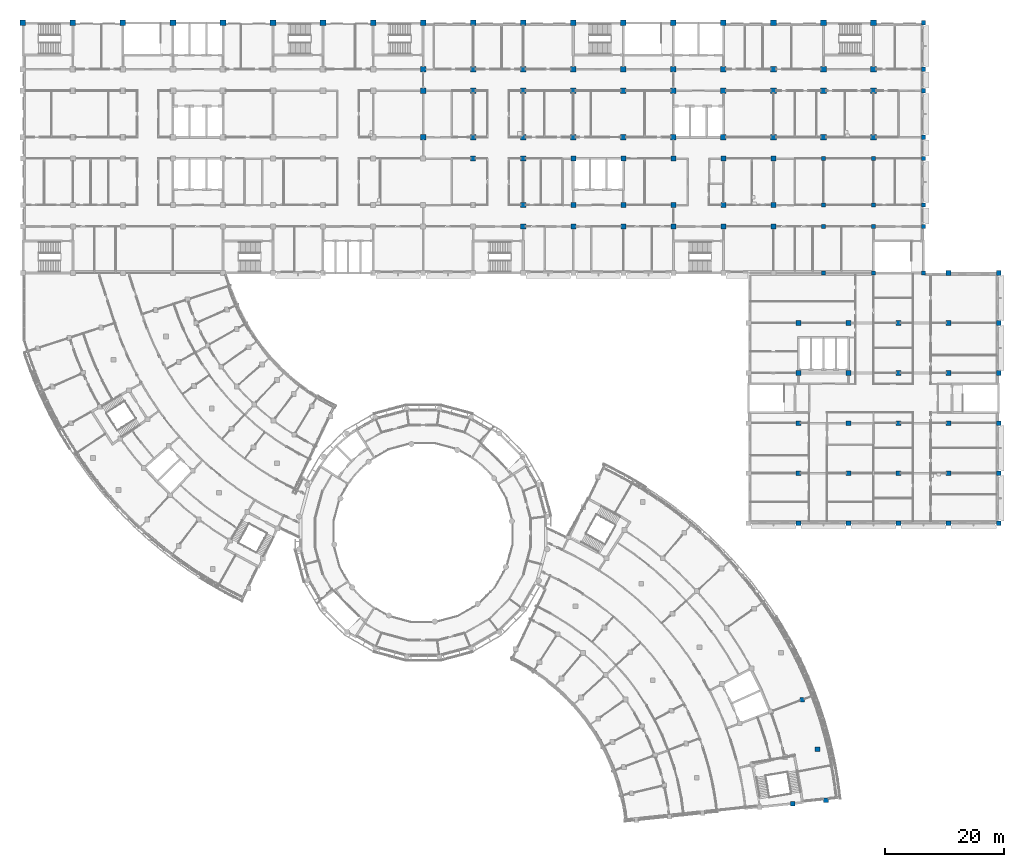
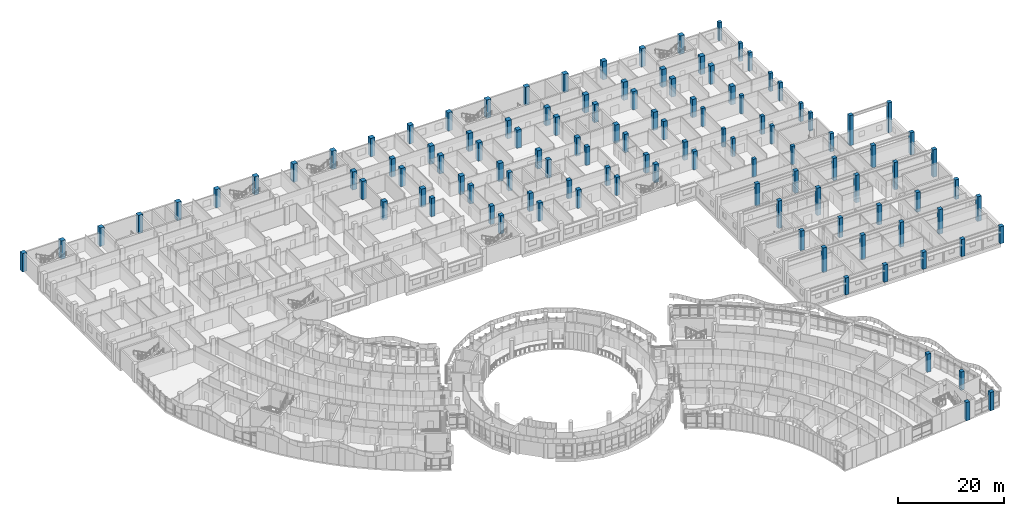
# One storey, part 2 of 109: 114 columns.
"""IFC4 building model written with IfcOpenShell, lengths in metres."""

from ifc_helpers import new_model, si_unit, direction, frame, origin, origin_2d, place, context, subcontext, project, spatial, rectangle, extrude, material, material_profile, profile_set, type_object, element, save


model = new_model("IFC4")

# Units and contexts
model_context = context("Model", 3, precision=1e-05, world=origin(), true_north=direction((0.0, 1.0)))
body_context = subcontext(model_context, "Body", "Model", "MODEL_VIEW")
ifc_project = project(units=[si_unit("LENGTHUNIT", "METRE"), si_unit("AREAUNIT", "SQUARE_METRE"), si_unit("VOLUMEUNIT", "CUBIC_METRE"), si_unit("PLANEANGLEUNIT", "RADIAN"), si_unit("MASSUNIT", "GRAM", prefix="KILO")], contexts=[model_context])

# Site, building, storey
site_placement = place(None, origin())
site = spatial("IfcSite", under=ifc_project, at=site_placement, CompositionType="ELEMENT")
building_placement = place(site_placement, origin())
building = spatial("IfcBuilding", under=site, at=building_placement, Name="Bougainvillea Quay General Hospital", CompositionType="ELEMENT")
storey_placement = place(building_placement, frame((0.0, 0.0, 12.60009765625)))
storey = spatial("IfcBuildingStorey", under=building, at=storey_placement, Name="L02", CompositionType="ELEMENT", Elevation=12.60009765625)

# Columns
ifc_material = material(Name="Concrete C40", Category="concrete")
ifc_material_profile_1 = material_profile(ifc_material, rectangle(XDim=0.699951171875, YDim=0.699951171875, at=origin_2d()))
ifc_profile_set_1 = profile_set([ifc_material_profile_1], Name="Concrete C40")
column_type_1 = type_object("IfcColumnType", Name="RC COL 700x700 C40", PredefinedType="COLUMN", material=ifc_profile_set_1)
for number, where, z_axis, x_axis, name in (
    (1, (176.39990234375, 117.60009765625, 0.0), (0.0, 0.0, 1.0), (1.0, 0.0, 0.0), "Column C-V4-160 L02"),
    (2, (176.39990234375, 125.39990234375, 0.0), (0.0, 0.0, 1.0), (1.0, 0.0, 0.0), "Column C-V4-161 L02"),
    (3, (176.39990234375, 129.0, 0.0), (0.0, 0.0, 1.0), (1.0, 0.0, 0.0), "Column C-V4-162 L02"),
    (4, (176.39990234375, 136.800048828125, 0.0), (0.0, 0.0, 1.0), (1.0, 0.0, 0.0), "Column C-V4-163 L02"),
    (5, (184.800048828125, 117.60009765625, 0.0), (0.0, 0.0, 1.0), (1.0, 0.0, 0.0), "Column C-V4-170 L02"),
    (6, (184.800048828125, 125.39990234375, 0.0), (0.0, 0.0, 1.0), (1.0, 0.0, 0.0), "Column C-V4-171 L02"),
    (7, (184.800048828125, 129.0, 0.0), (0.0, 0.0, 1.0), (1.0, 0.0, 0.0), "Column C-V4-172 L02"),
    (8, (184.800048828125, 136.800048828125, 0.0), (0.0, 0.0, 1.0), (1.0, 0.0, 0.0), "Column C-V4-173 L02"),
    (9, (193.199951171875, 117.60009765625, 0.0), (0.0, 0.0, 1.0), (1.0, 0.0, 0.0), "Column C-V4-180 L02"),
    (10, (193.199951171875, 125.39990234375, 0.0), (0.0, 0.0, 1.0), (1.0, 0.0, 0.0), "Column C-V4-181 L02"),
    (11, (193.199951171875, 129.0, 0.0), (0.0, 0.0, 1.0), (1.0, 0.0, 0.0), "Column C-V4-182 L02"),
    (12, (193.199951171875, 136.800048828125, 0.0), (0.0, 0.0, 1.0), (1.0, 0.0, 0.0), "Column C-V4-183 L02"),
    (13, (193.199951171875, 140.39990234375, 0.0), (0.0, 0.0, 1.0), (1.0, 0.0, 0.0), "Column C-V4-184 L02"),
    (14, (193.199951171875, 148.199951171875, 0.0), (0.0, 0.0, 1.0), (1.0, 0.0, 0.0), "Column C-V4-185 L02"),
    (15, (193.199951171875, 151.800048828125, 0.0), (0.0, 0.0, 1.0), (1.0, 0.0, 0.0), "Column C-V4-186 L02"),
    (16, (193.199951171875, 159.60009765625, 0.0), (0.0, 0.0, 1.0), (1.0, 0.0, 0.0), "Column C-V4-187 L02"),
):
    element("IfcColumn", number, at=place(storey_placement, frame(where, z_axis=z_axis, x_axis=x_axis)), inside=storey, type_object=column_type_1, Name=name, PredefinedType="COLUMN", context=body_context, shape_type="SweptSolid", body=[
        extrude(rectangle(XDim=0.699951171875, YDim=0.699951171875, at=origin_2d()), origin(), (0.0, 0.0, 1.0), 4.199951171875),
    ])
ifc_material_profile_2 = material_profile(ifc_material, rectangle(XDim=0.800048828125, YDim=0.800048828125, at=origin_2d()))
ifc_profile_set_2 = profile_set([ifc_material_profile_2], Name="Concrete C40")
column_type_2 = type_object("IfcColumnType", Name="RC COL 800x800 C40", PredefinedType="COLUMN", material=ifc_profile_set_2)
column_1_placement = place(storey_placement, frame((171.258056640625, 28.527099609375, 0.0), z_axis=(0.0, 0.0, 1.0), x_axis=(1.0, 0.0, 0.0)))
element("IfcColumn", 17, at=column_1_placement, inside=storey, type_object=column_type_2, Name="Column C-V6-E81 L02", PredefinedType="COLUMN", context=body_context, shape_type="SweptSolid", body=[
    extrude(rectangle(XDim=0.800048828125, YDim=0.800048828125, at=origin_2d()), origin(), (0.0, 0.0, 1.0), 4.199951171875),
])
column_2_placement = place(storey_placement, frame((172.199951171875, 75.60009765625, 0.0), z_axis=(0.0, 0.0, 1.0), x_axis=(1.0, 0.0, 0.0)))
element("IfcColumn", 18, at=column_2_placement, inside=storey, type_object=column_type_2, Name="Column C-V3-10 L02", PredefinedType="COLUMN", context=body_context, shape_type="SweptSolid", body=[
    extrude(rectangle(XDim=0.800048828125, YDim=0.800048828125, at=origin_2d()), origin(), (0.0, 0.0, 1.0), 3.909912109375),
])
column_3_placement = place(storey_placement, frame((172.199951171875, 84.0, 0.0), z_axis=(0.0, 0.0, 1.0), x_axis=(1.0, 0.0, 0.0)))
element("IfcColumn", 19, at=column_3_placement, inside=storey, type_object=column_type_2, Name="Column C-V3-11 L02", PredefinedType="COLUMN", context=body_context, shape_type="SweptSolid", body=[
    extrude(rectangle(XDim=0.800048828125, YDim=0.800048828125, at=origin_2d()), origin(), (0.0, 0.0, 1.0), 5.7099609375),
])
column_4_placement = place(storey_placement, frame((172.199951171875, 92.39990234375, 0.0), z_axis=(0.0, 0.0, 1.0), x_axis=(1.0, 0.0, 0.0)))
element("IfcColumn", 20, at=column_4_placement, inside=storey, type_object=column_type_2, Name="Column C-V3-12 L02", PredefinedType="COLUMN", context=body_context, shape_type="SweptSolid", body=[
    extrude(rectangle(XDim=0.800048828125, YDim=0.800048828125, at=origin_2d()), origin(), (0.0, 0.0, 1.0), 4.510009765625),
])
column_5_placement = place(storey_placement, frame((172.199951171875, 100.800048828125, 0.0), z_axis=(0.0, 0.0, 1.0), x_axis=(1.0, 0.0, 0.0)))
element("IfcColumn", 21, at=column_5_placement, inside=storey, type_object=column_type_2, Name="Column C-V3-13 L02", PredefinedType="COLUMN", context=body_context, shape_type="SweptSolid", body=[
    extrude(rectangle(XDim=0.800048828125, YDim=0.800048828125, at=origin_2d()), origin(), (0.0, 0.0, 1.0), 6.309814453125),
])
column_6_placement = place(storey_placement, frame((172.199951171875, 109.199951171875, 0.0), z_axis=(0.0, 0.0, 1.0), x_axis=(1.0, 0.0, 0.0)))
element("IfcColumn", 22, at=column_6_placement, inside=storey, type_object=column_type_2, Name="Column C-V3-14 L02", PredefinedType="COLUMN", context=body_context, shape_type="SweptSolid", body=[
    extrude(rectangle(XDim=0.800048828125, YDim=0.800048828125, at=origin_2d()), origin(), (0.0, 0.0, 1.0), 5.10986328125),
])
for number, where, z_axis, x_axis, name in (
    (23, (172.840087890625, 45.9560546875, 0.0), (0.0, 0.0, 1.0), (1.0, 0.0, 0.0), "Column C-V6-E60 L02"),
    (24, (175.3720703125, 37.662109375, 0.0), (0.0, 0.0, 1.0), (1.0, 0.0, 0.0), "Column C-V6-E70 L02"),
    (25, (176.826904296875, 29.113037109375, 0.0), (0.0, 0.0, 1.0), (1.0, 0.0, 0.0), "Column C-V6-E80 L02"),
):
    element("IfcColumn", number, at=place(storey_placement, frame(where, z_axis=z_axis, x_axis=x_axis)), inside=storey, type_object=column_type_2, Name=name, PredefinedType="COLUMN", context=body_context, shape_type="SweptSolid", body=[
        extrude(rectangle(XDim=0.800048828125, YDim=0.800048828125, at=origin_2d()), origin(), (0.0, 0.0, 1.0), 4.199951171875),
    ])
column_7_placement = place(storey_placement, frame((180.60009765625, 75.60009765625, 0.0), z_axis=(0.0, 0.0, 1.0), x_axis=(1.0, 0.0, 0.0)))
element("IfcColumn", 26, at=column_7_placement, inside=storey, type_object=column_type_2, Name="Column C-V3-20 L02", PredefinedType="COLUMN", context=body_context, shape_type="SweptSolid", body=[
    extrude(rectangle(XDim=0.800048828125, YDim=0.800048828125, at=origin_2d()), origin(), (0.0, 0.0, 1.0), 3.909912109375),
])
column_8_placement = place(storey_placement, frame((180.60009765625, 84.0, 0.0), z_axis=(0.0, 0.0, 1.0), x_axis=(1.0, 0.0, 0.0)))
element("IfcColumn", 27, at=column_8_placement, inside=storey, type_object=column_type_2, Name="Column C-V3-21 L02", PredefinedType="COLUMN", context=body_context, shape_type="SweptSolid", body=[
    extrude(rectangle(XDim=0.800048828125, YDim=0.800048828125, at=origin_2d()), origin(), (0.0, 0.0, 1.0), 5.7099609375),
])
column_9_placement = place(storey_placement, frame((180.60009765625, 92.39990234375, 0.0), z_axis=(0.0, 0.0, 1.0), x_axis=(1.0, 0.0, 0.0)))
element("IfcColumn", 28, at=column_9_placement, inside=storey, type_object=column_type_2, Name="Column C-V3-22 L02", PredefinedType="COLUMN", context=body_context, shape_type="SweptSolid", body=[
    extrude(rectangle(XDim=0.800048828125, YDim=0.800048828125, at=origin_2d()), origin(), (0.0, 0.0, 1.0), 4.510009765625),
])
column_10_placement = place(storey_placement, frame((180.60009765625, 100.800048828125, 0.0), z_axis=(0.0, 0.0, 1.0), x_axis=(1.0, 0.0, 0.0)))
element("IfcColumn", 29, at=column_10_placement, inside=storey, type_object=column_type_2, Name="Column C-V3-23 L02", PredefinedType="COLUMN", context=body_context, shape_type="SweptSolid", body=[
    extrude(rectangle(XDim=0.800048828125, YDim=0.800048828125, at=origin_2d()), origin(), (0.0, 0.0, 1.0), 6.309814453125),
])
column_11_placement = place(storey_placement, frame((180.60009765625, 109.199951171875, 0.0), z_axis=(0.0, 0.0, 1.0), x_axis=(1.0, 0.0, 0.0)))
element("IfcColumn", 30, at=column_11_placement, inside=storey, type_object=column_type_2, Name="Column C-V3-24 L02", PredefinedType="COLUMN", context=body_context, shape_type="SweptSolid", body=[
    extrude(rectangle(XDim=0.800048828125, YDim=0.800048828125, at=origin_2d()), origin(), (0.0, 0.0, 1.0), 5.10986328125),
])
column_12_placement = place(storey_placement, frame((189.0, 75.60009765625, 0.0), z_axis=(0.0, 0.0, 1.0), x_axis=(1.0, 0.0, 0.0)))
element("IfcColumn", 31, at=column_12_placement, inside=storey, type_object=column_type_2, Name="Column C-V3-30 L02", PredefinedType="COLUMN", context=body_context, shape_type="SweptSolid", body=[
    extrude(rectangle(XDim=0.800048828125, YDim=0.800048828125, at=origin_2d()), origin(), (0.0, 0.0, 1.0), 3.909912109375),
])
column_13_placement = place(storey_placement, frame((189.0, 84.0, 0.0), z_axis=(0.0, 0.0, 1.0), x_axis=(1.0, 0.0, 0.0)))
element("IfcColumn", 32, at=column_13_placement, inside=storey, type_object=column_type_2, Name="Column C-V3-31 L02", PredefinedType="COLUMN", context=body_context, shape_type="SweptSolid", body=[
    extrude(rectangle(XDim=0.800048828125, YDim=0.800048828125, at=origin_2d()), origin(), (0.0, 0.0, 1.0), 5.7099609375),
])
column_14_placement = place(storey_placement, frame((189.0, 92.39990234375, 0.0), z_axis=(0.0, 0.0, 1.0), x_axis=(1.0, 0.0, 0.0)))
element("IfcColumn", 33, at=column_14_placement, inside=storey, type_object=column_type_2, Name="Column C-V3-32 L02", PredefinedType="COLUMN", context=body_context, shape_type="SweptSolid", body=[
    extrude(rectangle(XDim=0.800048828125, YDim=0.800048828125, at=origin_2d()), origin(), (0.0, 0.0, 1.0), 4.510009765625),
])
column_15_placement = place(storey_placement, frame((189.0, 100.800048828125, 0.0), z_axis=(0.0, 0.0, 1.0), x_axis=(1.0, 0.0, 0.0)))
element("IfcColumn", 34, at=column_15_placement, inside=storey, type_object=column_type_2, Name="Column C-V3-33 L02", PredefinedType="COLUMN", context=body_context, shape_type="SweptSolid", body=[
    extrude(rectangle(XDim=0.800048828125, YDim=0.800048828125, at=origin_2d()), origin(), (0.0, 0.0, 1.0), 6.309814453125),
])
column_16_placement = place(storey_placement, frame((189.0, 109.199951171875, 0.0), z_axis=(0.0, 0.0, 1.0), x_axis=(1.0, 0.0, 0.0)))
element("IfcColumn", 35, at=column_16_placement, inside=storey, type_object=column_type_2, Name="Column C-V3-34 L02", PredefinedType="COLUMN", context=body_context, shape_type="SweptSolid", body=[
    extrude(rectangle(XDim=0.800048828125, YDim=0.800048828125, at=origin_2d()), origin(), (0.0, 0.0, 1.0), 5.10986328125),
])
column_17_placement = place(storey_placement, frame((197.39990234375, 75.60009765625, 0.0), z_axis=(0.0, 0.0, 1.0), x_axis=(1.0, 0.0, 0.0)))
element("IfcColumn", 36, at=column_17_placement, inside=storey, type_object=column_type_2, Name="Column C-V3-40 L02", PredefinedType="COLUMN", context=body_context, shape_type="SweptSolid", body=[
    extrude(rectangle(XDim=0.800048828125, YDim=0.800048828125, at=origin_2d()), origin(), (0.0, 0.0, 1.0), 3.909912109375),
])
column_18_placement = place(storey_placement, frame((197.39990234375, 84.0, 0.0), z_axis=(0.0, 0.0, 1.0), x_axis=(1.0, 0.0, 0.0)))
element("IfcColumn", 37, at=column_18_placement, inside=storey, type_object=column_type_2, Name="Column C-V3-41 L02", PredefinedType="COLUMN", context=body_context, shape_type="SweptSolid", body=[
    extrude(rectangle(XDim=0.800048828125, YDim=0.800048828125, at=origin_2d()), origin(), (0.0, 0.0, 1.0), 5.7099609375),
])
column_19_placement = place(storey_placement, frame((197.39990234375, 92.39990234375, 0.0), z_axis=(0.0, 0.0, 1.0), x_axis=(1.0, 0.0, 0.0)))
element("IfcColumn", 38, at=column_19_placement, inside=storey, type_object=column_type_2, Name="Column C-V3-42 L02", PredefinedType="COLUMN", context=body_context, shape_type="SweptSolid", body=[
    extrude(rectangle(XDim=0.800048828125, YDim=0.800048828125, at=origin_2d()), origin(), (0.0, 0.0, 1.0), 4.510009765625),
])
column_20_placement = place(storey_placement, frame((197.39990234375, 100.800048828125, 0.0), z_axis=(0.0, 0.0, 1.0), x_axis=(1.0, 0.0, 0.0)))
element("IfcColumn", 39, at=column_20_placement, inside=storey, type_object=column_type_2, Name="Column C-V3-43 L02", PredefinedType="COLUMN", context=body_context, shape_type="SweptSolid", body=[
    extrude(rectangle(XDim=0.800048828125, YDim=0.800048828125, at=origin_2d()), origin(), (0.0, 0.0, 1.0), 6.309814453125),
])
column_21_placement = place(storey_placement, frame((197.39990234375, 109.199951171875, 0.0), z_axis=(0.0, 0.0, 1.0), x_axis=(1.0, 0.0, 0.0)))
element("IfcColumn", 40, at=column_21_placement, inside=storey, type_object=column_type_2, Name="Column C-V3-44 L02", PredefinedType="COLUMN", context=body_context, shape_type="SweptSolid", body=[
    extrude(rectangle(XDim=0.800048828125, YDim=0.800048828125, at=origin_2d()), origin(), (0.0, 0.0, 1.0), 5.10986328125),
])
column_22_placement = place(storey_placement, frame((197.39990234375, 117.60009765625, 0.0), z_axis=(0.0, 0.0, 1.0), x_axis=(1.0, 0.0, 0.0)))
element("IfcColumn", 41, at=column_22_placement, inside=storey, type_object=column_type_2, Name="Column C-V3-45 L02", PredefinedType="COLUMN", context=body_context, shape_type="SweptSolid", body=[
    extrude(rectangle(XDim=0.800048828125, YDim=0.800048828125, at=origin_2d()), origin(), (0.0, 0.0, 1.0), 6.909912109375),
])
column_23_placement = place(storey_placement, frame((205.800048828125, 75.60009765625, 0.0), z_axis=(0.0, 0.0, 1.0), x_axis=(1.0, 0.0, 0.0)))
element("IfcColumn", 42, at=column_23_placement, inside=storey, type_object=column_type_2, Name="Column C-V3-50 L02", PredefinedType="COLUMN", context=body_context, shape_type="SweptSolid", body=[
    extrude(rectangle(XDim=0.800048828125, YDim=0.800048828125, at=origin_2d()), origin(), (0.0, 0.0, 1.0), 3.909912109375),
])
column_24_placement = place(storey_placement, frame((205.800048828125, 84.0, 0.0), z_axis=(0.0, 0.0, 1.0), x_axis=(1.0, 0.0, 0.0)))
element("IfcColumn", 43, at=column_24_placement, inside=storey, type_object=column_type_2, Name="Column C-V3-51 L02", PredefinedType="COLUMN", context=body_context, shape_type="SweptSolid", body=[
    extrude(rectangle(XDim=0.800048828125, YDim=0.800048828125, at=origin_2d()), origin(), (0.0, 0.0, 1.0), 5.7099609375),
])
column_25_placement = place(storey_placement, frame((205.800048828125, 92.39990234375, 0.0), z_axis=(0.0, 0.0, 1.0), x_axis=(1.0, 0.0, 0.0)))
element("IfcColumn", 44, at=column_25_placement, inside=storey, type_object=column_type_2, Name="Column C-V3-52 L02", PredefinedType="COLUMN", context=body_context, shape_type="SweptSolid", body=[
    extrude(rectangle(XDim=0.800048828125, YDim=0.800048828125, at=origin_2d()), origin(), (0.0, 0.0, 1.0), 4.510009765625),
])
column_26_placement = place(storey_placement, frame((205.800048828125, 100.800048828125, 0.0), z_axis=(0.0, 0.0, 1.0), x_axis=(1.0, 0.0, 0.0)))
element("IfcColumn", 45, at=column_26_placement, inside=storey, type_object=column_type_2, Name="Column C-V3-53 L02", PredefinedType="COLUMN", context=body_context, shape_type="SweptSolid", body=[
    extrude(rectangle(XDim=0.800048828125, YDim=0.800048828125, at=origin_2d()), origin(), (0.0, 0.0, 1.0), 6.309814453125),
])
column_27_placement = place(storey_placement, frame((205.800048828125, 109.199951171875, 0.0), z_axis=(0.0, 0.0, 1.0), x_axis=(1.0, 0.0, 0.0)))
element("IfcColumn", 46, at=column_27_placement, inside=storey, type_object=column_type_2, Name="Column C-V3-54 L02", PredefinedType="COLUMN", context=body_context, shape_type="SweptSolid", body=[
    extrude(rectangle(XDim=0.800048828125, YDim=0.800048828125, at=origin_2d()), origin(), (0.0, 0.0, 1.0), 5.10986328125),
])
column_28_placement = place(storey_placement, frame((205.800048828125, 117.60009765625, 0.0), z_axis=(0.0, 0.0, 1.0), x_axis=(1.0, 0.0, 0.0)))
element("IfcColumn", 47, at=column_28_placement, inside=storey, type_object=column_type_2, Name="Column C-V3-55 L02", PredefinedType="COLUMN", context=body_context, shape_type="SweptSolid", body=[
    extrude(rectangle(XDim=0.800048828125, YDim=0.800048828125, at=origin_2d()), origin(), (0.0, 0.0, 1.0), 6.909912109375),
])
ifc_material_profile_3 = material_profile(ifc_material, rectangle(XDim=0.85009765625, YDim=0.85009765625, at=origin_2d()))
ifc_profile_set_3 = profile_set([ifc_material_profile_3], Name="Concrete C40")
column_type_3 = type_object("IfcColumnType", Name="RC COL 850x850 C40", PredefinedType="COLUMN", material=ifc_profile_set_3)
for number, where, z_axis, x_axis, name in (
    (48, (117.60009765625, 136.800048828125, 0.0), (0.0, 0.0, 1.0), (1.0, 0.0, 0.0), "Column C-V4-093 L02"),
    (49, (126.0, 125.39990234375, 0.0), (0.0, 0.0, 1.0), (1.0, 0.0, 0.0), "Column C-V4-101 L02"),
    (50, (126.0, 129.0, 0.0), (0.0, 0.0, 1.0), (1.0, 0.0, 0.0), "Column C-V4-102 L02"),
    (51, (126.0, 136.800048828125, 0.0), (0.0, 0.0, 1.0), (1.0, 0.0, 0.0), "Column C-V4-103 L02"),
    (52, (134.39990234375, 125.39990234375, 0.0), (0.0, 0.0, 1.0), (1.0, 0.0, 0.0), "Column C-V4-111 L02"),
    (53, (134.39990234375, 129.0, 0.0), (0.0, 0.0, 1.0), (1.0, 0.0, 0.0), "Column C-V4-112 L02"),
    (54, (134.39990234375, 136.800048828125, 0.0), (0.0, 0.0, 1.0), (1.0, 0.0, 0.0), "Column C-V4-113 L02"),
    (55, (142.800048828125, 125.39990234375, 0.0), (0.0, 0.0, 1.0), (1.0, 0.0, 0.0), "Column C-V4-121 L02"),
    (56, (142.800048828125, 129.0, 0.0), (0.0, 0.0, 1.0), (1.0, 0.0, 0.0), "Column C-V4-122 L02"),
    (57, (142.800048828125, 136.800048828125, 0.0), (0.0, 0.0, 1.0), (1.0, 0.0, 0.0), "Column C-V4-123 L02"),
    (58, (151.199951171875, 125.39990234375, 0.0), (0.0, 0.0, 1.0), (1.0, 0.0, 0.0), "Column C-V4-131 L02"),
    (59, (151.199951171875, 129.0, 0.0), (0.0, 0.0, 1.0), (1.0, 0.0, 0.0), "Column C-V4-132 L02"),
    (60, (151.199951171875, 136.800048828125, 0.0), (0.0, 0.0, 1.0), (1.0, 0.0, 0.0), "Column C-V4-133 L02"),
    (61, (159.60009765625, 125.39990234375, 0.0), (0.0, 0.0, 1.0), (1.0, 0.0, 0.0), "Column C-V4-141 L02"),
    (62, (159.60009765625, 129.0, 0.0), (0.0, 0.0, 1.0), (1.0, 0.0, 0.0), "Column C-V4-142 L02"),
    (63, (159.60009765625, 136.800048828125, 0.0), (0.0, 0.0, 1.0), (1.0, 0.0, 0.0), "Column C-V4-143 L02"),
    (64, (168.0, 125.39990234375, 0.0), (0.0, 0.0, 1.0), (1.0, 0.0, 0.0), "Column C-V4-151 L02"),
    (65, (168.0, 129.0, 0.0), (0.0, 0.0, 1.0), (1.0, 0.0, 0.0), "Column C-V4-152 L02"),
    (66, (168.0, 136.800048828125, 0.0), (0.0, 0.0, 1.0), (1.0, 0.0, 0.0), "Column C-V4-153 L02"),
):
    element("IfcColumn", number, at=place(storey_placement, frame(where, z_axis=z_axis, x_axis=x_axis)), inside=storey, type_object=column_type_3, Name=name, PredefinedType="COLUMN", context=body_context, shape_type="SweptSolid", body=[
        extrude(rectangle(XDim=0.85009765625, YDim=0.85009765625, at=origin_2d()), origin(), (0.0, 0.0, 1.0), 4.199951171875),
    ])
ifc_material_profile_4 = material_profile(ifc_material, rectangle(XDim=0.949951171875, YDim=0.949951171875, at=origin_2d()))
ifc_profile_set_4 = profile_set([ifc_material_profile_4], Name="Concrete C40")
column_type_4 = type_object("IfcColumnType", Name="RC COL 950x950 C40", PredefinedType="COLUMN", material=ifc_profile_set_4)
for number, where, z_axis, x_axis, name in (
    (67, (42.0, 159.60009765625, 0.0), (0.0, 0.0, 1.0), (1.0, 0.0, 0.0), "Column C-V4-007 L02"),
    (68, (50.39990234375, 159.60009765625, 0.0), (0.0, 0.0, 1.0), (1.0, 0.0, 0.0), "Column C-V4-017 L02"),
    (69, (58.800048828125, 159.60009765625, 0.0), (0.0, 0.0, 1.0), (1.0, 0.0, 0.0), "Column C-V4-027 L02"),
    (70, (67.199951171875, 159.60009765625, 0.0), (0.0, 0.0, 1.0), (1.0, 0.0, 0.0), "Column C-V4-037 L02"),
    (71, (75.60009765625, 159.60009765625, 0.0), (0.0, 0.0, 1.0), (1.0, 0.0, 0.0), "Column C-V4-047 L02"),
    (72, (84.0, 159.60009765625, 0.0), (0.0, 0.0, 1.0), (1.0, 0.0, 0.0), "Column C-V4-057 L02"),
    (73, (92.39990234375, 159.60009765625, 0.0), (0.0, 0.0, 1.0), (1.0, 0.0, 0.0), "Column C-V4-067 L02"),
    (74, (100.800048828125, 159.60009765625, 0.0), (0.0, 0.0, 1.0), (1.0, 0.0, 0.0), "Column C-V4-077 L02"),
    (75, (109.199951171875, 140.39990234375, 0.0), (0.0, 0.0, 1.0), (1.0, 0.0, 0.0), "Column C-V4-084 L02"),
    (76, (109.199951171875, 148.199951171875, 0.0), (0.0, 0.0, 1.0), (1.0, 0.0, 0.0), "Column C-V4-085 L02"),
    (77, (109.199951171875, 151.800048828125, 0.0), (0.0, 0.0, 1.0), (1.0, 0.0, 0.0), "Column C-V4-086 L02"),
    (78, (109.199951171875, 159.60009765625, 0.0), (0.0, 0.0, 1.0), (1.0, 0.0, 0.0), "Column C-V4-087 L02"),
    (79, (117.60009765625, 140.39990234375, 0.0), (0.0, 0.0, 1.0), (1.0, 0.0, 0.0), "Column C-V4-094 L02"),
    (80, (117.60009765625, 148.199951171875, 0.0), (0.0, 0.0, 1.0), (1.0, 0.0, 0.0), "Column C-V4-095 L02"),
    (81, (117.60009765625, 151.800048828125, 0.0), (0.0, 0.0, 1.0), (1.0, 0.0, 0.0), "Column C-V4-096 L02"),
    (82, (117.60009765625, 159.60009765625, 0.0), (0.0, 0.0, 1.0), (1.0, 0.0, 0.0), "Column C-V4-097 L02"),
    (83, (126.0, 140.39990234375, 0.0), (0.0, 0.0, 1.0), (1.0, 0.0, 0.0), "Column C-V4-104 L02"),
    (84, (126.0, 148.199951171875, 0.0), (0.0, 0.0, 1.0), (1.0, 0.0, 0.0), "Column C-V4-105 L02"),
    (85, (126.0, 151.800048828125, 0.0), (0.0, 0.0, 1.0), (1.0, 0.0, 0.0), "Column C-V4-106 L02"),
    (86, (126.0, 159.60009765625, 0.0), (0.0, 0.0, 1.0), (1.0, 0.0, 0.0), "Column C-V4-107 L02"),
    (87, (134.39990234375, 140.39990234375, 0.0), (0.0, 0.0, 1.0), (1.0, 0.0, 0.0), "Column C-V4-114 L02"),
    (88, (134.39990234375, 148.199951171875, 0.0), (0.0, 0.0, 1.0), (1.0, 0.0, 0.0), "Column C-V4-115 L02"),
    (89, (134.39990234375, 151.800048828125, 0.0), (0.0, 0.0, 1.0), (1.0, 0.0, 0.0), "Column C-V4-116 L02"),
    (90, (134.39990234375, 159.60009765625, 0.0), (0.0, 0.0, 1.0), (1.0, 0.0, 0.0), "Column C-V4-117 L02"),
    (91, (142.800048828125, 140.39990234375, 0.0), (0.0, 0.0, 1.0), (1.0, 0.0, 0.0), "Column C-V4-124 L02"),
    (92, (142.800048828125, 148.199951171875, 0.0), (0.0, 0.0, 1.0), (1.0, 0.0, 0.0), "Column C-V4-125 L02"),
    (93, (142.800048828125, 151.800048828125, 0.0), (0.0, 0.0, 1.0), (1.0, 0.0, 0.0), "Column C-V4-126 L02"),
    (94, (142.800048828125, 159.60009765625, 0.0), (0.0, 0.0, 1.0), (1.0, 0.0, 0.0), "Column C-V4-127 L02"),
    (95, (151.199951171875, 140.39990234375, 0.0), (0.0, 0.0, 1.0), (1.0, 0.0, 0.0), "Column C-V4-134 L02"),
    (96, (151.199951171875, 148.199951171875, 0.0), (0.0, 0.0, 1.0), (1.0, 0.0, 0.0), "Column C-V4-135 L02"),
    (97, (151.199951171875, 151.800048828125, 0.0), (0.0, 0.0, 1.0), (1.0, 0.0, 0.0), "Column C-V4-136 L02"),
    (98, (151.199951171875, 159.60009765625, 0.0), (0.0, 0.0, 1.0), (1.0, 0.0, 0.0), "Column C-V4-137 L02"),
    (99, (159.60009765625, 140.39990234375, 0.0), (0.0, 0.0, 1.0), (1.0, 0.0, 0.0), "Column C-V4-144 L02"),
    (100, (159.60009765625, 148.199951171875, 0.0), (0.0, 0.0, 1.0), (1.0, 0.0, 0.0), "Column C-V4-145 L02"),
    (101, (159.60009765625, 151.800048828125, 0.0), (0.0, 0.0, 1.0), (1.0, 0.0, 0.0), "Column C-V4-146 L02"),
    (102, (159.60009765625, 159.60009765625, 0.0), (0.0, 0.0, 1.0), (1.0, 0.0, 0.0), "Column C-V4-147 L02"),
    (103, (168.0, 140.39990234375, 0.0), (0.0, 0.0, 1.0), (1.0, 0.0, 0.0), "Column C-V4-154 L02"),
    (104, (168.0, 148.199951171875, 0.0), (0.0, 0.0, 1.0), (1.0, 0.0, 0.0), "Column C-V4-155 L02"),
    (105, (168.0, 151.800048828125, 0.0), (0.0, 0.0, 1.0), (1.0, 0.0, 0.0), "Column C-V4-156 L02"),
    (106, (168.0, 159.60009765625, 0.0), (0.0, 0.0, 1.0), (1.0, 0.0, 0.0), "Column C-V4-157 L02"),
    (107, (176.39990234375, 140.39990234375, 0.0), (0.0, 0.0, 1.0), (1.0, 0.0, 0.0), "Column C-V4-164 L02"),
    (108, (176.39990234375, 148.199951171875, 0.0), (0.0, 0.0, 1.0), (1.0, 0.0, 0.0), "Column C-V4-165 L02"),
    (109, (176.39990234375, 151.800048828125, 0.0), (0.0, 0.0, 1.0), (1.0, 0.0, 0.0), "Column C-V4-166 L02"),
    (110, (176.39990234375, 159.60009765625, 0.0), (0.0, 0.0, 1.0), (1.0, 0.0, 0.0), "Column C-V4-167 L02"),
    (111, (184.800048828125, 140.39990234375, 0.0), (0.0, 0.0, 1.0), (1.0, 0.0, 0.0), "Column C-V4-174 L02"),
    (112, (184.800048828125, 148.199951171875, 0.0), (0.0, 0.0, 1.0), (1.0, 0.0, 0.0), "Column C-V4-175 L02"),
    (113, (184.800048828125, 151.800048828125, 0.0), (0.0, 0.0, 1.0), (1.0, 0.0, 0.0), "Column C-V4-176 L02"),
    (114, (184.800048828125, 159.60009765625, 0.0), (0.0, 0.0, 1.0), (1.0, 0.0, 0.0), "Column C-V4-177 L02"),
):
    element("IfcColumn", number, at=place(storey_placement, frame(where, z_axis=z_axis, x_axis=x_axis)), inside=storey, type_object=column_type_4, Name=name, PredefinedType="COLUMN", context=body_context, shape_type="SweptSolid", body=[
        extrude(rectangle(XDim=0.949951171875, YDim=0.949951171875, at=origin_2d()), origin(), (0.0, 0.0, 1.0), 4.199951171875),
    ])

save(model, "model.ifc")
